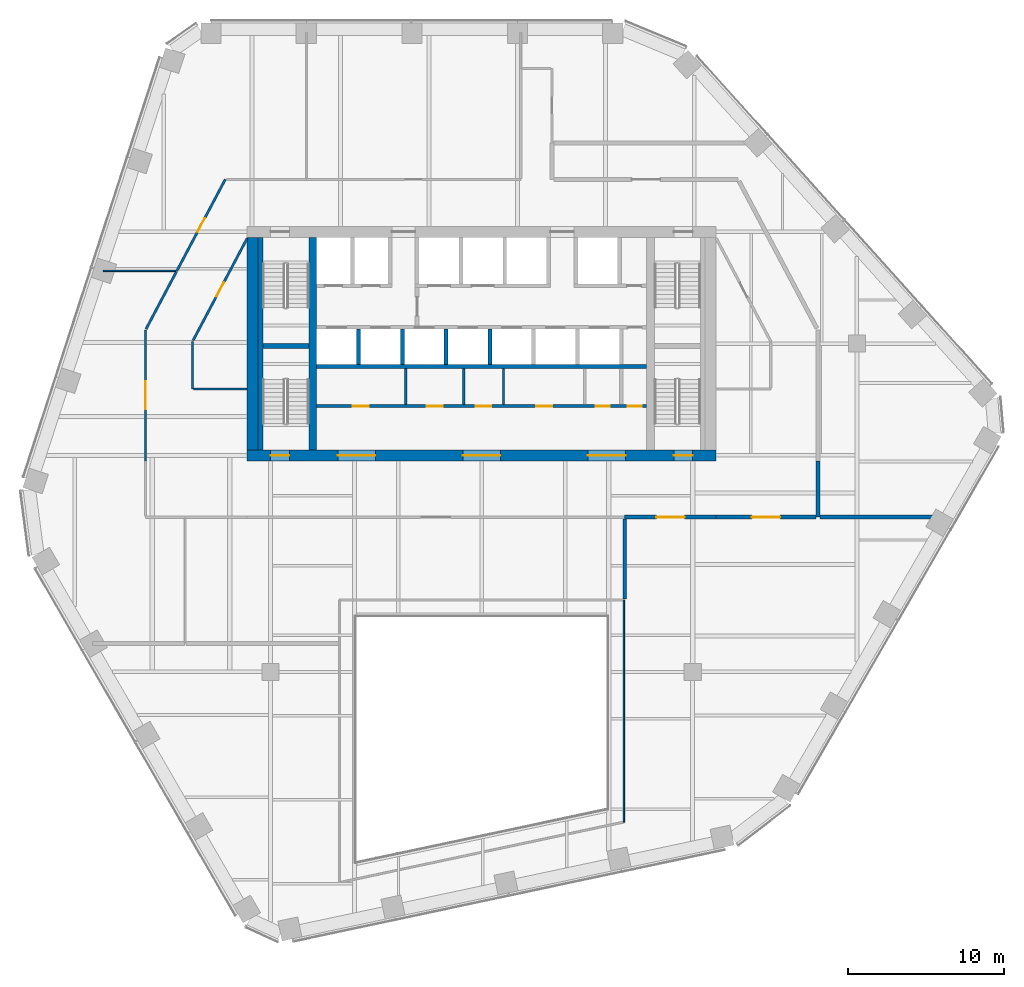
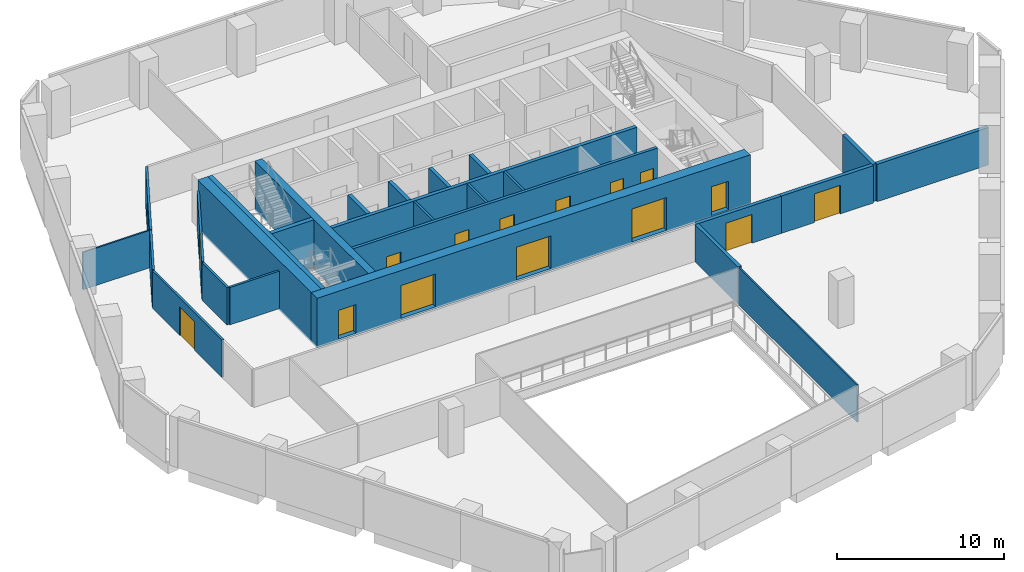
# One storey, part 11 of 16: 27 walls, 16 doors, 16 openings.
"""IFC4 building model written with IfcOpenShell, lengths in metres."""

from ifc_helpers import new_model, si_unit, direction, frame, frame_2d, origin, place, context, subcontext, project, spatial, rectangle, extrude, material, layer, layer_set, type_object, element, fill, save


model = new_model("IFC4")

# Units and contexts
model_context = context("Model", 3, precision=1e-05, world=origin(), true_north=direction((0.0, 1.0)))
body_context = subcontext(model_context, "Body", "Model", "MODEL_VIEW")
ifc_project = project(units=[si_unit("LENGTHUNIT", "METRE"), si_unit("AREAUNIT", "SQUARE_METRE"), si_unit("VOLUMEUNIT", "CUBIC_METRE"), si_unit("PLANEANGLEUNIT", "RADIAN"), si_unit("MASSUNIT", "GRAM", prefix="KILO")], contexts=[model_context])

# Site, building, storey
site_placement = place(None, origin())
site = spatial("IfcSite", under=ifc_project, at=site_placement, CompositionType="ELEMENT")
building_placement = place(site_placement, origin())
building = spatial("IfcBuilding", under=site, at=building_placement, Name="Isthmus Gate Tower", CompositionType="ELEMENT")
storey_placement = place(building_placement, frame((0.0, 0.0, 178.10009765625)))
storey = spatial("IfcBuildingStorey", under=building, at=storey_placement, Name="L44", CompositionType="ELEMENT", Elevation=178.10009765625)

# Wall, opening, door
ifc_material_1 = material(Name="Double-leaf acoustic stud wall, fire-rated", Category="gypsum")
ifc_layer_1 = layer(ifc_material_1, 0.25)
ifc_layer_set_1 = layer_set([ifc_layer_1], Name="ACOUSTIC WALL 250 60 MIN")
wall_type_1 = type_object("IfcWallType", Name="ACOUSTIC WALL 250 60 MIN", PredefinedType="PARTITIONING", material=ifc_layer_set_1)
wall_1_placement = place(storey_placement, frame((15.0, -3.60009765625, 0.0), z_axis=(0.0, 0.0, 1.0), x_axis=(-1.0, 0.0, 0.0)))
wall_1 = element("IfcWall", 1, at=wall_1_placement, inside=storey, type_object=wall_type_1, Name="L44 Acoustic Wall 250 60 Min", PredefinedType="PARTITIONING", context=body_context, shape_type="SweptSolid", body=[
    extrude(rectangle(XDim=5.85009765625, YDim=0.25, at=frame_2d((2.925048828125, 0.0))), origin(), (0.0, 0.0, 1.0), 2.7412109375),
])
opening_1_placement = place(wall_1_placement, frame((2.02490234375, 0.0, 0.0)))
opening_1 = element("IfcOpeningElement", 2, at=opening_1_placement, cuts=wall_1, Name="Opening DT-T4A-10", PredefinedType="OPENING", context=body_context, shape_type="SweptSolid", body=[
    extrude(rectangle(XDim=1.800048828125, YDim=2.10009765625, at=frame_2d((0.89990234375, 1.050048828125))), frame((0.0, 0.135009765625, 0.0), z_axis=(0.0, -1.0, 0.0), x_axis=(1.0, 0.0, 0.0)), (0.0, 0.0, 1.0), 0.27001953125),
])
ifc_material_2 = material(Name="Solid core timber door leaf, fire-rated", Category="wood")
door_type_1 = type_object("IfcDoorType", Name="FIRE DOOR ACOUSTIC ROOM 1800 X 2100 60 MIN", OperationType="DOUBLE_DOOR_DOUBLE_SWING", PredefinedType="DOOR", material=ifc_material_2)
door_1_placement = place(opening_1_placement, origin())
door_1 = element("IfcDoor", 3, at=door_1_placement, inside=storey, type_object=door_type_1, Name="L44 room door", OperationType="DOUBLE_DOOR_DOUBLE_SWING", OverallHeight=2.10009765625, OverallWidth=1.800048828125, PredefinedType="DOOR", context=body_context, shape_type="SweptSolid", body=[
    extrude(rectangle(XDim=1.800048828125, YDim=2.10009765625, at=frame_2d((0.89990234375, 1.050048828125))), frame((0.0, 0.02490234375, 0.0), z_axis=(0.0, -1.0, 0.0), x_axis=(1.0, 0.0, 0.0)), (0.0, 0.0, 1.0), 0.050048828125),
])
fill(opening_1, door_1)

# Wall
wall_2_placement = place(storey_placement, frame((21.5, 0.0, 0.0), z_axis=(0.0, 0.0, 1.0), x_axis=(0.0, -1.0, 0.0)))
element("IfcWall", 4, at=wall_2_placement, inside=storey, type_object=wall_type_1, Name="L44 Acoustic Wall 250 60 Min", PredefinedType="PARTITIONING", context=body_context, shape_type="SweptSolid", body=[
    extrude(rectangle(XDim=3.60009765625, YDim=0.25, at=frame_2d((1.800048828125, 0.0))), origin(), (0.0, 0.0, 1.0), 2.7412109375),
])

# Wall, opening, door
wall_3_placement = place(storey_placement, frame((21.375, -3.60009765625, 0.0), z_axis=(0.0, 0.0, 1.0), x_axis=(-1.0, 0.0, 0.0)))
wall_3 = element("IfcWall", 5, at=wall_3_placement, inside=storey, type_object=wall_type_1, Name="L44 Acoustic Wall 250 60 Min", PredefinedType="PARTITIONING", context=body_context, shape_type="SweptSolid", body=[
    extrude(rectangle(XDim=6.375, YDim=0.25, at=frame_2d((3.1875, 0.0))), origin(), (0.0, 0.0, 1.0), 2.7412109375),
])
opening_2_placement = place(wall_3_placement, frame((2.28759765625, 0.0, 0.0)))
opening_2 = element("IfcOpeningElement", 6, at=opening_2_placement, cuts=wall_3, Name="Opening DT-T4A-09", PredefinedType="OPENING", context=body_context, shape_type="SweptSolid", body=[
    extrude(rectangle(XDim=1.800048828125, YDim=2.10009765625, at=frame_2d((0.89990234375, 1.050048828125))), frame((0.0, 0.135009765625, 0.0), z_axis=(0.0, -1.0, 0.0), x_axis=(1.0, 0.0, 0.0)), (0.0, 0.0, 1.0), 0.27001953125),
])
door_2_placement = place(opening_2_placement, origin())
door_2 = element("IfcDoor", 7, at=door_2_placement, inside=storey, type_object=door_type_1, Name="L44 room door", OperationType="DOUBLE_DOOR_DOUBLE_SWING", OverallHeight=2.10009765625, OverallWidth=1.800048828125, PredefinedType="DOOR", context=body_context, shape_type="SweptSolid", body=[
    extrude(rectangle(XDim=1.800048828125, YDim=2.10009765625, at=frame_2d((0.89990234375, 1.050048828125))), frame((0.0, 0.02490234375, 0.0), z_axis=(0.0, -1.0, 0.0), x_axis=(1.0, 0.0, 0.0)), (0.0, 0.0, 1.0), 0.050048828125),
])
fill(opening_2, door_2)

# Walls
wall_4_placement = place(storey_placement, frame((21.6259765625, -3.597900390625, 0.0), z_axis=(0.0, 0.0, 1.0), x_axis=(1.0, 0.0, 0.0)))
element("IfcWall", 8, at=wall_4_placement, inside=storey, type_object=wall_type_1, Name="L44 Acoustic Wall 250 60 Min", PredefinedType="PARTITIONING", context=body_context, shape_type="SweptSolid", body=[
    extrude(rectangle(XDim=7.72509765625, YDim=0.25, at=frame_2d((3.862548828125, 0.0))), origin(), (0.0, 0.0, 1.0), 2.7412109375),
])
wall_5_placement = place(storey_placement, frame((9.14990234375, -8.85009765625, 0.0), z_axis=(0.0, 0.0, 1.0), x_axis=(0.0, 1.0, 0.0)))
element("IfcWall", 9, at=wall_5_placement, inside=storey, type_object=wall_type_1, Name="L44 Acoustic Wall 250 60 Min", PredefinedType="PARTITIONING", context=body_context, shape_type="SweptSolid", body=[
    extrude(rectangle(XDim=5.125, YDim=0.25, at=frame_2d((2.5625, 0.0))), origin(), (0.0, 0.0, 1.0), 2.7412109375),
])
ifc_material_3 = material(Name="Fire-rated laminated glass in steel frame", Category="steel")
ifc_layer_2 = layer(ifc_material_3, 0.10009765625)
ifc_layer_set_2 = layer_set([ifc_layer_2], Name="ATRIUM SCREEN GLAZED WALL 100 120 MIN")
wall_type_2 = type_object("IfcWallType", Name="ATRIUM SCREEN GLAZED WALL 100 120 MIN", PredefinedType="PARTITIONING", material=ifc_layer_set_2)
wall_6_placement = place(storey_placement, frame((9.10009765625, -8.89990234375, 0.0), z_axis=(0.0, 0.0, 1.0), x_axis=(0.0, -1.0, 0.0)))
element("IfcWall", 10, at=wall_6_placement, inside=storey, type_object=wall_type_2, Name="L44 atrium screen", PredefinedType="PARTITIONING", context=body_context, shape_type="SweptSolid", body=[
    extrude(rectangle(XDim=14.200927734375, YDim=0.10009765625, at=frame_2d((7.1005859375, 0.0))), origin(), (0.0, 0.0, 1.0), 2.7412109375),
])
ifc_material_4 = material(Name="Gypsum board on steel studs, fire-rated", Category="steel")
ifc_layer_3 = layer(ifc_material_4, 0.14990234375)
ifc_layer_set_3 = layer_set([ifc_layer_3], Name="CORRIDOR WALL 150 60 MIN")
wall_type_3 = type_object("IfcWallType", Name="CORRIDOR WALL 150 60 MIN", PredefinedType="PARTITIONING", material=ifc_layer_set_3)
wall_7_placement = place(storey_placement, frame((-18.5, 7.626953125, 0.0), z_axis=(0.0, 0.0, 1.0), x_axis=(0.0, -1.0, 0.0)))
element("IfcWall", 11, at=wall_7_placement, inside=storey, type_object=wall_type_3, Name="L44 Corridor Wall 150 60 Min", PredefinedType="PARTITIONING", context=body_context, shape_type="SweptSolid", body=[
    extrude(rectangle(XDim=3.02685546875, YDim=0.14990234375, at=frame_2d((1.513427734375, 0.0))), origin(), (0.0, 0.0, 1.0), 2.7412109375),
])

# Wall, opening, door
wall_8_placement = place(storey_placement, frame((-15.0, 14.239013671875, 0.0), z_axis=(0.0, 0.0, 1.0), x_axis=(-0.467834708812, -0.88381597928, 0.0)))
wall_8 = element("IfcWall", 12, at=wall_8_placement, inside=storey, type_object=wall_type_3, Name="L44 Corridor Wall 150 60 Min", PredefinedType="PARTITIONING", context=body_context, shape_type="SweptSolid", body=[
    extrude(rectangle(XDim=7.40625, YDim=0.14990234375, at=frame_2d((3.703125, 0.0))), origin(), (0.0, 0.0, 1.0), 2.7412109375),
])
opening_3_placement = place(wall_8_placement, frame((3.203125, 0.0, 0.0)))
opening_3 = element("IfcOpeningElement", 13, at=opening_3_placement, cuts=wall_8, Name="Opening DT-T4A-04", PredefinedType="OPENING", context=body_context, shape_type="SweptSolid", body=[
    extrude(rectangle(XDim=1.0, YDim=2.10009765625, at=frame_2d((0.5, 1.050048828125))), frame((0.0, 0.0849609375, 0.0), z_axis=(0.0, -1.0, 0.0), x_axis=(1.0, 0.0, 0.0)), (0.0, 0.0, 1.0), 0.169921875),
])
ifc_material_5 = material(Name="Solid core timber door leaf, fire-rated", Category="wood")
door_type_2 = type_object("IfcDoorType", Name="FIRE DOOR ROOM 1000 X 2100 60 MIN", OperationType="SINGLE_SWING_LEFT", PredefinedType="DOOR", material=ifc_material_5)
door_3_placement = place(opening_3_placement, origin())
door_3 = element("IfcDoor", 14, at=door_3_placement, inside=storey, type_object=door_type_2, Name="L44 room door", OperationType="SINGLE_SWING_RIGHT", OverallHeight=2.10009765625, OverallWidth=1.0, PredefinedType="DOOR", context=body_context, shape_type="SweptSolid", body=[
    extrude(rectangle(XDim=1.0, YDim=2.10009765625, at=frame_2d((0.5, 1.050048828125))), frame((0.0, 0.02490234375, 0.0), z_axis=(0.0, -1.0, 0.0), x_axis=(1.0, 0.0, 0.0)), (0.0, 0.0, 1.0), 0.050048828125),
])
fill(opening_3, door_3)

wall_9_placement = place(storey_placement, frame((-19.4970703125, 12.156005859375, 0.0), z_axis=(0.0, 0.0, 1.0), x_axis=(0.467901291368, 0.883780731593, 0.0)))
wall_9 = element("IfcWall", 15, at=wall_9_placement, inside=storey, type_object=wall_type_3, Name="L44 Corridor Wall 150 60 Min", PredefinedType="PARTITIONING", context=body_context, shape_type="SweptSolid", body=[
    extrude(rectangle(XDim=6.612548828125, YDim=0.14990234375, at=frame_2d((3.30615234375, 0.0))), origin(), (0.0, 0.0, 1.0), 2.7412109375),
])
opening_4_placement = place(wall_9_placement, frame((2.806396484375, 0.0, 0.0)))
opening_4 = element("IfcOpeningElement", 16, at=opening_4_placement, cuts=wall_9, Name="Opening DT-T4A-03", PredefinedType="OPENING", context=body_context, shape_type="SweptSolid", body=[
    extrude(rectangle(XDim=1.0, YDim=2.10009765625, at=frame_2d((0.5, 1.050048828125))), frame((0.0, 0.0849609375, 0.0), z_axis=(0.0, -1.0, 0.0), x_axis=(1.0, 0.0, 0.0)), (0.0, 0.0, 1.0), 0.169921875),
])
door_4_placement = place(opening_4_placement, origin())
door_4 = element("IfcDoor", 17, at=door_4_placement, inside=storey, type_object=door_type_2, Name="L44 room door", OperationType="SINGLE_SWING_RIGHT", OverallHeight=2.10009765625, OverallWidth=1.0, PredefinedType="DOOR", context=body_context, shape_type="SweptSolid", body=[
    extrude(rectangle(XDim=1.0, YDim=2.10009765625, at=frame_2d((0.5, 1.050048828125))), frame((0.0, 0.02490234375, 0.0), z_axis=(0.0, -1.0, 0.0), x_axis=(1.0, 0.0, 0.0)), (0.0, 0.0, 1.0), 0.050048828125),
])
fill(opening_4, door_4)

# Wall
wall_10_placement = place(storey_placement, frame((-18.425048828125, 4.60009765625, 0.0), z_axis=(0.0, 0.0, 1.0), x_axis=(1.0, 0.0, 0.0)))
element("IfcWall", 18, at=wall_10_placement, inside=storey, type_object=wall_type_3, Name="L44 Corridor Wall 150 60 Min", PredefinedType="PARTITIONING", context=body_context, shape_type="SweptSolid", body=[
    extrude(rectangle(XDim=3.425048828125, YDim=0.14990234375, at=frame_2d((1.71240234375, 0.0))), origin(), (0.0, 0.0, 1.0), 2.7412109375),
])

# Wall, opening, door
wall_11_placement = place(storey_placement, frame((-21.5, 0.0, 0.0), z_axis=(0.0, 0.0, 1.0), x_axis=(0.0, 1.0, 0.0)))
wall_11 = element("IfcWall", 19, at=wall_11_placement, inside=storey, type_object=wall_type_3, Name="L44 Corridor Wall 150 60 Min", PredefinedType="PARTITIONING", context=body_context, shape_type="SweptSolid", body=[
    extrude(rectangle(XDim=8.373046875, YDim=0.14990234375, at=frame_2d((4.1865234375, 0.0))), origin(), (0.0, 0.0, 1.0), 2.7412109375),
])
opening_5_placement = place(wall_11_placement, frame((3.28662109375, 0.0, 0.0)))
opening_5 = element("IfcOpeningElement", 20, at=opening_5_placement, cuts=wall_11, Name="Opening DT-T4A-07", PredefinedType="OPENING", context=body_context, shape_type="SweptSolid", body=[
    extrude(rectangle(XDim=1.800048828125, YDim=2.10009765625, at=frame_2d((0.89990234375, 1.050048828125))), frame((0.0, 0.0849609375, 0.0), z_axis=(0.0, -1.0, 0.0), x_axis=(1.0, 0.0, 0.0)), (0.0, 0.0, 1.0), 0.169921875),
])
ifc_material_6 = material(Name="Solid core timber door leaf, fire-rated", Category="wood")
door_type_3 = type_object("IfcDoorType", Name="FIRE DOOR ROOM 1800 X 2100 60 MIN", OperationType="DOUBLE_DOOR_DOUBLE_SWING", PredefinedType="DOOR", material=ifc_material_6)
door_5_placement = place(opening_5_placement, origin())
door_5 = element("IfcDoor", 21, at=door_5_placement, inside=storey, type_object=door_type_3, Name="L44 room door", OperationType="DOUBLE_DOOR_DOUBLE_SWING", OverallHeight=2.10009765625, OverallWidth=1.800048828125, PredefinedType="DOOR", context=body_context, shape_type="SweptSolid", body=[
    extrude(rectangle(XDim=1.800048828125, YDim=2.10009765625, at=frame_2d((0.89990234375, 1.050048828125))), frame((0.0, 0.02490234375, 0.0), z_axis=(0.0, -1.0, 0.0), x_axis=(1.0, 0.0, 0.0)), (0.0, 0.0, 1.0), 0.050048828125),
])
fill(opening_5, door_5)

# Walls
wall_12_placement = place(storey_placement, frame((-21.46484375, 8.439208984375, 0.0), z_axis=(0.0, 0.0, 1.0), x_axis=(0.467890419772, 0.883786487272, 0.0)))
element("IfcWall", 22, at=wall_12_placement, inside=storey, type_object=wall_type_3, Name="L44 Corridor Wall 150 60 Min", PredefinedType="PARTITIONING", context=body_context, shape_type="SweptSolid", body=[
    extrude(rectangle(XDim=4.155517578125, YDim=0.14990234375, at=frame_2d((2.07763671875, 0.0))), origin(), (0.0, 0.0, 1.0), 2.7412109375),
])
ifc_material_7 = material(Name="Concrete f'c 60 MPa", Category="concrete")
ifc_layer_4 = layer(ifc_material_7, 0.5)
ifc_layer_set_4 = layer_set([ifc_layer_4], Name="RC CORE SPINE WALL 500 F'C 60")
wall_type_4 = type_object("IfcWallType", Name="RC CORE SPINE WALL 500 F'C 60", PredefinedType="SOLIDWALL", material=ifc_layer_set_4)
wall_13_placement = place(storey_placement, frame((-10.800048828125, 0.699951171875, -0.150146484375), z_axis=(0.0, 0.0, 1.0), x_axis=(0.0, 1.0, 0.0)))
element("IfcWall", 23, at=wall_13_placement, inside=storey, type_object=wall_type_4, Name="str-corewall-L44-SPW", PredefinedType="SOLIDWALL", context=body_context, shape_type="SweptSolid", body=[
    extrude(rectangle(XDim=13.60009765625, YDim=0.5, at=frame_2d((6.800048828125, 0.0))), origin(), (0.0, 0.0, 1.0), 3.650146484375),
])

# Wall, openings, doors
ifc_material_8 = material(Name="Concrete f'c 60 MPa", Category="concrete")
ifc_layer_5 = layer(ifc_material_8, 0.699951171875)
ifc_layer_set_5 = layer_set([ifc_layer_5], Name="RC CORE WALL 700 F'C 60")
wall_type_5 = type_object("IfcWallType", Name="RC CORE WALL 700 F'C 60", PredefinedType="SOLIDWALL", material=ifc_layer_set_5)
wall_14_placement = place(storey_placement, frame((-15.0, 0.35009765625, -0.150146484375), z_axis=(0.0, 0.0, 1.0), x_axis=(1.0, 0.0, 0.0)))
wall_14 = element("IfcWall", 24, at=wall_14_placement, inside=storey, type_object=wall_type_5, Name="str-corewall-L44-S", PredefinedType="SOLIDWALL", context=body_context, shape_type="SweptSolid", body=[
    extrude(rectangle(XDim=30.0, YDim=0.699951171875, at=frame_2d((15.0, 0.0))), origin(), (0.0, 0.0, 1.0), 3.650146484375),
])
opening_6_placement = place(wall_14_placement, frame((5.800048828125, 0.0, 0.14990234375)))
opening_6 = element("IfcOpeningElement", 25, at=opening_6_placement, cuts=wall_14, Name="Opening DC-A11-10", PredefinedType="OPENING", context=body_context, shape_type="SweptSolid", body=[
    extrude(rectangle(XDim=2.39990234375, YDim=2.39990234375, at=frame_2d((1.199951171875, 1.199951171875))), frame((0.0, 0.35986328125, 0.0), z_axis=(0.0, -1.0, 0.0), x_axis=(1.0, 0.0, 0.0)), (0.0, 0.0, 1.0), 0.719970703125),
])
opening_7_placement = place(wall_14_placement, frame((13.800048828125, 0.0, 0.14990234375)))
opening_7 = element("IfcOpeningElement", 26, at=opening_7_placement, cuts=wall_14, Name="Opening DC-A11-11", PredefinedType="OPENING", context=body_context, shape_type="SweptSolid", body=[
    extrude(rectangle(XDim=2.39990234375, YDim=2.39990234375, at=frame_2d((1.199951171875, 1.199951171875))), frame((0.0, 0.35986328125, 0.0), z_axis=(0.0, -1.0, 0.0), x_axis=(1.0, 0.0, 0.0)), (0.0, 0.0, 1.0), 0.719970703125),
])
opening_8_placement = place(wall_14_placement, frame((21.800048828125, 0.0, 0.14990234375)))
opening_8 = element("IfcOpeningElement", 27, at=opening_8_placement, cuts=wall_14, Name="Opening DC-A11-12", PredefinedType="OPENING", context=body_context, shape_type="SweptSolid", body=[
    extrude(rectangle(XDim=2.39990234375, YDim=2.39990234375, at=frame_2d((1.199951171875, 1.199951171875))), frame((0.0, 0.35986328125, 0.0), z_axis=(0.0, -1.0, 0.0), x_axis=(1.0, 0.0, 0.0)), (0.0, 0.0, 1.0), 0.719970703125),
])
opening_9_placement = place(wall_14_placement, frame((1.5, 0.0, 0.14990234375)))
opening_9 = element("IfcOpeningElement", 28, at=opening_9_placement, cuts=wall_14, Name="Opening DC-A11-17", PredefinedType="OPENING", context=body_context, shape_type="SweptSolid", body=[
    extrude(rectangle(XDim=1.199951171875, YDim=2.10009765625, at=frame_2d((0.60009765625, 1.050048828125))), frame((0.0, 0.35986328125, 0.0), z_axis=(0.0, -1.0, 0.0), x_axis=(1.0, 0.0, 0.0)), (0.0, 0.0, 1.0), 0.719970703125),
])
opening_10_placement = place(wall_14_placement, frame((27.300048828125, 0.0, 0.14990234375)))
opening_10 = element("IfcOpeningElement", 29, at=opening_10_placement, cuts=wall_14, Name="Opening DC-A11-18", PredefinedType="OPENING", context=body_context, shape_type="SweptSolid", body=[
    extrude(rectangle(XDim=1.199951171875, YDim=2.10009765625, at=frame_2d((0.60009765625, 1.050048828125))), frame((0.0, 0.35986328125, 0.0), z_axis=(0.0, -1.0, 0.0), x_axis=(1.0, 0.0, 0.0)), (0.0, 0.0, 1.0), 0.719970703125),
])
ifc_material_9 = material(Name="Laminated safety glass in steel frame, fire-rated", Category="steel")
door_type_4 = type_object("IfcDoorType", Name="LOBBY ENTRANCE FIRE DOOR 2400 X 2400 60 MIN", OperationType="DOUBLE_DOOR_DOUBLE_SWING", PredefinedType="DOOR", material=ifc_material_9)
door_6_placement = place(opening_6_placement, origin())
door_6 = element("IfcDoor", 30, at=door_6_placement, inside=storey, type_object=door_type_4, Name="Lobby Entrance PS-W", OperationType="DOUBLE_DOOR_DOUBLE_SWING", OverallHeight=2.39990234375, OverallWidth=2.39990234375, PredefinedType="DOOR", context=body_context, shape_type="SweptSolid", body=[
    extrude(rectangle(XDim=2.39990234375, YDim=2.39990234375, at=frame_2d((1.199951171875, 1.199951171875))), frame((0.0, 0.02490234375, 0.0), z_axis=(0.0, -1.0, 0.0), x_axis=(1.0, 0.0, 0.0)), (0.0, 0.0, 1.0), 0.050048828125),
])
fill(opening_6, door_6)
door_7_placement = place(opening_7_placement, origin())
door_7 = element("IfcDoor", 31, at=door_7_placement, inside=storey, type_object=door_type_4, Name="Lobby Entrance PS-C", OperationType="DOUBLE_DOOR_DOUBLE_SWING", OverallHeight=2.39990234375, OverallWidth=2.39990234375, PredefinedType="DOOR", context=body_context, shape_type="SweptSolid", body=[
    extrude(rectangle(XDim=2.39990234375, YDim=2.39990234375, at=frame_2d((1.199951171875, 1.199951171875))), frame((0.0, 0.02490234375, 0.0), z_axis=(0.0, -1.0, 0.0), x_axis=(1.0, 0.0, 0.0)), (0.0, 0.0, 1.0), 0.050048828125),
])
fill(opening_7, door_7)
door_8_placement = place(opening_8_placement, origin())
door_8 = element("IfcDoor", 32, at=door_8_placement, inside=storey, type_object=door_type_4, Name="Lobby Entrance PS-E", OperationType="DOUBLE_DOOR_DOUBLE_SWING", OverallHeight=2.39990234375, OverallWidth=2.39990234375, PredefinedType="DOOR", context=body_context, shape_type="SweptSolid", body=[
    extrude(rectangle(XDim=2.39990234375, YDim=2.39990234375, at=frame_2d((1.199951171875, 1.199951171875))), frame((0.0, 0.02490234375, 0.0), z_axis=(0.0, -1.0, 0.0), x_axis=(1.0, 0.0, 0.0)), (0.0, 0.0, 1.0), 0.050048828125),
])
fill(opening_8, door_8)
ifc_material_10 = material(Name="Steel door leaf, fire-rated", Category="steel")
door_type_5 = type_object("IfcDoorType", Name="STAIR FIRE DOOR 1200 X 2100 90 MIN", OperationType="SINGLE_SWING_LEFT", PredefinedType="DOOR", material=ifc_material_10)
door_9_placement = place(opening_9_placement, origin())
door_9 = element("IfcDoor", 33, at=door_9_placement, inside=storey, type_object=door_type_5, Name="Exit Stair 7 Door", OperationType="SINGLE_SWING_LEFT", OverallHeight=2.10009765625, OverallWidth=1.199951171875, PredefinedType="DOOR", context=body_context, shape_type="SweptSolid", body=[
    extrude(rectangle(XDim=1.199951171875, YDim=2.10009765625, at=frame_2d((0.60009765625, 1.050048828125))), frame((0.0, 0.02490234375, 0.0), z_axis=(0.0, -1.0, 0.0), x_axis=(1.0, 0.0, 0.0)), (0.0, 0.0, 1.0), 0.050048828125),
])
fill(opening_9, door_9)
door_10_placement = place(opening_10_placement, origin())
door_10 = element("IfcDoor", 34, at=door_10_placement, inside=storey, type_object=door_type_5, Name="Exit Stair 8 Door", OperationType="SINGLE_SWING_RIGHT", OverallHeight=2.10009765625, OverallWidth=1.199951171875, PredefinedType="DOOR", context=body_context, shape_type="SweptSolid", body=[
    extrude(rectangle(XDim=1.199951171875, YDim=2.10009765625, at=frame_2d((0.60009765625, 1.050048828125))), frame((0.0, 0.02490234375, 0.0), z_axis=(0.0, -1.0, 0.0), x_axis=(1.0, 0.0, 0.0)), (0.0, 0.0, 1.0), 0.050048828125),
])
fill(opening_10, door_10)

# Walls
wall_15_placement = place(storey_placement, frame((-14.64990234375, 0.699951171875, -0.150146484375), z_axis=(0.0, 0.0, 1.0), x_axis=(0.0, 1.0, 0.0)))
element("IfcWall", 35, at=wall_15_placement, inside=storey, type_object=wall_type_5, Name="str-corewall-L44-W", PredefinedType="SOLIDWALL", context=body_context, shape_type="SweptSolid", body=[
    extrude(rectangle(XDim=13.60009765625, YDim=0.699951171875, at=frame_2d((6.800048828125, 0.0))), origin(), (0.0, 0.0, 1.0), 3.650146484375),
])
ifc_material_11 = material(Name="Gypsum board on steel studs, fire-rated", Category="steel")
ifc_layer_6 = layer(ifc_material_11, 0.10009765625)
ifc_layer_set_6 = layer_set([ifc_layer_6], Name="ROOM PARTITION 100 30 MIN")
wall_type_6 = type_object("IfcWallType", Name="ROOM PARTITION 100 30 MIN", PredefinedType="PARTITIONING", material=ifc_layer_set_6)
wall_16_placement = place(storey_placement, frame((-24.217041015625, 12.156005859375, 0.0), z_axis=(0.0, 0.0, 1.0), x_axis=(1.0, 0.0, 0.0)))
element("IfcWall", 36, at=wall_16_placement, inside=storey, type_object=wall_type_6, Name="L44 Room Partition 100 30 Min", PredefinedType="PARTITIONING", context=body_context, shape_type="SweptSolid", body=[
    extrude(rectangle(XDim=4.636962890625, YDim=0.10009765625, at=frame_2d((2.318359375, 0.0))), origin(), (0.0, 0.0, 1.0), 2.7412109375),
])
ifc_material_12 = material(Name="Gypsum board on steel studs, fire-rated", Category="steel")
ifc_layer_7 = layer(ifc_material_12, 0.14990234375)
ifc_layer_set_7 = layer_set([ifc_layer_7], Name="ROOM PARTITION 150 60 MIN")
wall_type_7 = type_object("IfcWallType", Name="ROOM PARTITION 150 60 MIN", PredefinedType="PARTITIONING", material=ifc_layer_set_7)
for number, where, z_axis, x_axis, name in (
    (37, (-4.85009765625, 3.60009765625, 0.0), (0.0, 0.0, 1.0), (0.0, 1.0, 0.0), "L44 ROOM PARTITION 150 60 MIN"),
    (38, (-1.14990234375, 3.60009765625, 0.0), (0.0, 0.0, 1.0), (0.0, 1.0, 0.0), "L44 ROOM PARTITION 150 60 MIN"),
    (39, (1.39990234375, 3.60009765625, 0.0), (0.0, 0.0, 1.0), (0.0, 1.0, 0.0), "L44 ROOM PARTITION 150 60 MIN"),
):
    element("IfcWall", number, at=place(storey_placement, frame(where, z_axis=z_axis, x_axis=x_axis)), inside=storey, type_object=wall_type_7, Name=name, PredefinedType="PARTITIONING", context=body_context, shape_type="SweptSolid", body=[
        extrude(rectangle(XDim=2.2998046875, YDim=0.14990234375, at=frame_2d((1.14990234375, 0.0))), origin(), (0.0, 0.0, 1.0), 3.5),
    ])

# Wall, openings, doors
ifc_material_13 = material(Name="Fire-rated blockwork masonry, 15 MPa", Category="masonry")
ifc_layer_8 = layer(ifc_material_13, 0.199951171875)
ifc_layer_set_8 = layer_set([ifc_layer_8], Name="SHAFT FRONT WALL 200 120 MIN")
wall_type_8 = type_object("IfcWallType", Name="SHAFT FRONT WALL 200 120 MIN", PredefinedType="PARTITIONING", material=ifc_layer_set_8)
wall_17_placement = place(storey_placement, frame((-10.550048828125, 3.5, 0.0), z_axis=(0.0, 0.0, 1.0), x_axis=(1.0, 0.0, 0.0)))
wall_17 = element("IfcWall", 40, at=wall_17_placement, inside=storey, type_object=wall_type_8, Name="L44 SHAFT FRONT WALL 200 120 MIN", PredefinedType="PARTITIONING", context=body_context, shape_type="SweptSolid", body=[
    extrude(rectangle(XDim=21.10009765625, YDim=0.199951171875, at=frame_2d((10.550048828125, 0.0))), origin(), (0.0, 0.0, 1.0), 3.5),
])
opening_11_placement = place(wall_17_placement, frame((2.3125, 0.0, 0.0)))
opening_11 = element("IfcOpeningElement", 41, at=opening_11_placement, cuts=wall_17, Name="Opening DC-A11-02", PredefinedType="OPENING", context=body_context, shape_type="SweptSolid", body=[
    extrude(rectangle(XDim=1.0, YDim=2.10009765625, at=frame_2d((0.5, 1.050048828125))), frame((0.0, 0.10986328125, 0.0), z_axis=(0.0, -1.0, 0.0), x_axis=(1.0, 0.0, 0.0)), (0.0, 0.0, 1.0), 0.219970703125),
])
opening_12_placement = place(wall_17_placement, frame((7.050048828125, 0.0, 0.0)))
opening_12 = element("IfcOpeningElement", 42, at=opening_12_placement, cuts=wall_17, Name="Opening DC-A11-03", PredefinedType="OPENING", context=body_context, shape_type="SweptSolid", body=[
    extrude(rectangle(XDim=1.0, YDim=2.10009765625, at=frame_2d((0.5, 1.050048828125))), frame((0.0, 0.10986328125, 0.0), z_axis=(0.0, -1.0, 0.0), x_axis=(1.0, 0.0, 0.0)), (0.0, 0.0, 1.0), 0.219970703125),
])
opening_13_placement = place(wall_17_placement, frame((10.175048828125, 0.0, 0.0)))
opening_13 = element("IfcOpeningElement", 43, at=opening_13_placement, cuts=wall_17, Name="Opening DC-A11-04", PredefinedType="OPENING", context=body_context, shape_type="SweptSolid", body=[
    extrude(rectangle(XDim=1.0, YDim=2.10009765625, at=frame_2d((0.5, 1.050048828125))), frame((0.0, 0.10986328125, 0.0), z_axis=(0.0, -1.0, 0.0), x_axis=(1.0, 0.0, 0.0)), (0.0, 0.0, 1.0), 0.219970703125),
])
opening_14_placement = place(wall_17_placement, frame((14.050048828125, 0.0, 0.0)))
opening_14 = element("IfcOpeningElement", 44, at=opening_14_placement, cuts=wall_17, Name="Opening DC-A11-05", PredefinedType="OPENING", context=body_context, shape_type="SweptSolid", body=[
    extrude(rectangle(XDim=1.0, YDim=2.10009765625, at=frame_2d((0.5, 1.050048828125))), frame((0.0, 0.10986328125, 0.0), z_axis=(0.0, -1.0, 0.0), x_axis=(1.0, 0.0, 0.0)), (0.0, 0.0, 1.0), 0.219970703125),
])
opening_15_placement = place(wall_17_placement, frame((17.83740234375, 0.0, 0.0)))
opening_15 = element("IfcOpeningElement", 45, at=opening_15_placement, cuts=wall_17, Name="Opening DC-A11-06", PredefinedType="OPENING", context=body_context, shape_type="SweptSolid", body=[
    extrude(rectangle(XDim=0.89990234375, YDim=2.10009765625, at=frame_2d((0.449951171875, 1.050048828125))), frame((0.0, 0.10986328125, 0.0), z_axis=(0.0, -1.0, 0.0), x_axis=(1.0, 0.0, 0.0)), (0.0, 0.0, 1.0), 0.219970703125),
])
opening_16_placement = place(wall_17_placement, frame((19.89990234375, 0.0, 0.0)))
opening_16 = element("IfcOpeningElement", 46, at=opening_16_placement, cuts=wall_17, Name="Opening DC-A11-07", PredefinedType="OPENING", context=body_context, shape_type="SweptSolid", body=[
    extrude(rectangle(XDim=0.89990234375, YDim=2.10009765625, at=frame_2d((0.449951171875, 1.050048828125))), frame((0.0, 0.10986328125, 0.0), z_axis=(0.0, -1.0, 0.0), x_axis=(1.0, 0.0, 0.0)), (0.0, 0.0, 1.0), 0.219970703125),
])
ifc_material_14 = material(Name="Steel door leaf, fire-rated", Category="steel")
door_type_6 = type_object("IfcDoorType", Name="FIRE DOOR 1000 X 2100 60 MIN", OperationType="SINGLE_SWING_LEFT", PredefinedType="DOOR", material=ifc_material_14)
door_11_placement = place(opening_11_placement, origin())
door_11 = element("IfcDoor", 47, at=door_11_placement, inside=storey, type_object=door_type_6, Name="WC Women Door", OperationType="SINGLE_SWING_LEFT", OverallHeight=2.10009765625, OverallWidth=1.0, PredefinedType="DOOR", context=body_context, shape_type="SweptSolid", body=[
    extrude(rectangle(XDim=1.0, YDim=2.10009765625, at=frame_2d((0.5, 1.050048828125))), frame((0.0, 0.02490234375, 0.0), z_axis=(0.0, -1.0, 0.0), x_axis=(1.0, 0.0, 0.0)), (0.0, 0.0, 1.0), 0.050048828125),
])
fill(opening_11, door_11)
door_12_placement = place(opening_12_placement, origin())
door_12 = element("IfcDoor", 48, at=door_12_placement, inside=storey, type_object=door_type_6, Name="WC Men Door", OperationType="SINGLE_SWING_RIGHT", OverallHeight=2.10009765625, OverallWidth=1.0, PredefinedType="DOOR", context=body_context, shape_type="SweptSolid", body=[
    extrude(rectangle(XDim=1.0, YDim=2.10009765625, at=frame_2d((0.5, 1.050048828125))), frame((0.0, 0.02490234375, 0.0), z_axis=(0.0, -1.0, 0.0), x_axis=(1.0, 0.0, 0.0)), (0.0, 0.0, 1.0), 0.050048828125),
])
fill(opening_12, door_12)
door_13_placement = place(opening_13_placement, origin())
door_13 = element("IfcDoor", 49, at=door_13_placement, inside=storey, type_object=door_type_6, Name="Accessible WC Door", OperationType="SINGLE_SWING_LEFT", OverallHeight=2.10009765625, OverallWidth=1.0, PredefinedType="DOOR", context=body_context, shape_type="SweptSolid", body=[
    extrude(rectangle(XDim=1.0, YDim=2.10009765625, at=frame_2d((0.5, 1.050048828125))), frame((0.0, 0.02490234375, 0.0), z_axis=(0.0, -1.0, 0.0), x_axis=(1.0, 0.0, 0.0)), (0.0, 0.0, 1.0), 0.050048828125),
])
fill(opening_13, door_13)
door_14_placement = place(opening_14_placement, origin())
door_14 = element("IfcDoor", 50, at=door_14_placement, inside=storey, type_object=door_type_6, Name="Pantry Door", OperationType="SINGLE_SWING_RIGHT", OverallHeight=2.10009765625, OverallWidth=1.0, PredefinedType="DOOR", context=body_context, shape_type="SweptSolid", body=[
    extrude(rectangle(XDim=1.0, YDim=2.10009765625, at=frame_2d((0.5, 1.050048828125))), frame((0.0, 0.02490234375, 0.0), z_axis=(0.0, -1.0, 0.0), x_axis=(1.0, 0.0, 0.0)), (0.0, 0.0, 1.0), 0.050048828125),
])
fill(opening_14, door_14)
ifc_material_15 = material(Name="Steel door leaf, fire-rated", Category="steel")
door_type_7 = type_object("IfcDoorType", Name="FIRE DOOR 900 X 2100 60 MIN", OperationType="SINGLE_SWING_LEFT", PredefinedType="DOOR", material=ifc_material_15)
door_15_placement = place(opening_15_placement, origin())
door_15 = element("IfcDoor", 51, at=door_15_placement, inside=storey, type_object=door_type_7, Name="IT Room Door", OperationType="SINGLE_SWING_LEFT", OverallHeight=2.10009765625, OverallWidth=0.89990234375, PredefinedType="DOOR", context=body_context, shape_type="SweptSolid", body=[
    extrude(rectangle(XDim=0.89990234375, YDim=2.10009765625, at=frame_2d((0.449951171875, 1.050048828125))), frame((0.0, 0.02490234375, 0.0), z_axis=(0.0, -1.0, 0.0), x_axis=(1.0, 0.0, 0.0)), (0.0, 0.0, 1.0), 0.050048828125),
])
fill(opening_15, door_15)
ifc_material_16 = material(Name="Steel door leaf, fire-rated", Category="steel")
door_type_8 = type_object("IfcDoorType", Name="RISER FIRE DOOR 900 X 2100 90 MIN", OperationType="SINGLE_SWING_LEFT", PredefinedType="DOOR", material=ifc_material_16)
door_16_placement = place(opening_16_placement, origin())
door_16 = element("IfcDoor", 52, at=door_16_placement, inside=storey, type_object=door_type_8, Name="Riser Door", OperationType="SINGLE_SWING_RIGHT", OverallHeight=2.10009765625, OverallWidth=0.89990234375, PredefinedType="DOOR", context=body_context, shape_type="SweptSolid", body=[
    extrude(rectangle(XDim=0.89990234375, YDim=2.10009765625, at=frame_2d((0.449951171875, 1.050048828125))), frame((0.0, 0.02490234375, 0.0), z_axis=(0.0, -1.0, 0.0), x_axis=(1.0, 0.0, 0.0)), (0.0, 0.0, 1.0), 0.050048828125),
])
fill(opening_16, door_16)

# Walls
ifc_material_17 = material(Name="Fire-rated blockwork masonry, 15 MPa", Category="masonry")
ifc_layer_9 = layer(ifc_material_17, 0.25)
ifc_layer_set_9 = layer_set([ifc_layer_9], Name="SHAFT WALL 250 120 MIN")
wall_type_9 = type_object("IfcWallType", Name="SHAFT WALL 250 120 MIN", PredefinedType="PARTITIONING", material=ifc_layer_set_9)
wall_18_placement = place(storey_placement, frame((-10.550048828125, 6.02490234375, 0.0), z_axis=(0.0, 0.0, 1.0), x_axis=(1.0, 0.0, 0.0)))
element("IfcWall", 53, at=wall_18_placement, inside=storey, type_object=wall_type_9, Name="L44 SHAFT WALL 250 120 MIN", PredefinedType="PARTITIONING", context=body_context, shape_type="SweptSolid", body=[
    extrude(rectangle(XDim=21.10009765625, YDim=0.25, at=frame_2d((10.550048828125, 0.0))), origin(), (0.0, 0.0, 1.0), 3.5),
])
for number, where, z_axis, x_axis, name in (
    (54, (-7.875, 6.14990234375, 0.0), (0.0, 0.0, 1.0), (0.0, 1.0, 0.0), "L44 SHAFT WALL 250 120 MIN"),
    (55, (-5.074951171875, 6.14990234375, 0.0), (0.0, 0.0, 1.0), (0.0, 1.0, 0.0), "L44 SHAFT WALL 250 120 MIN"),
    (56, (-2.27490234375, 6.14990234375, 0.0), (0.0, 0.0, 1.0), (0.0, 1.0, 0.0), "L44 SHAFT WALL 250 120 MIN"),
    (57, (0.52490234375, 6.14990234375, 0.0), (0.0, 0.0, 1.0), (0.0, 1.0, 0.0), "L44 SHAFT WALL 250 120 MIN"),
):
    element("IfcWall", number, at=place(storey_placement, frame(where, z_axis=z_axis, x_axis=x_axis)), inside=storey, type_object=wall_type_9, Name=name, PredefinedType="PARTITIONING", context=body_context, shape_type="SweptSolid", body=[
        extrude(rectangle(XDim=2.300048828125, YDim=0.25, at=frame_2d((1.14990234375, 0.0))), origin(), (0.0, 0.0, 1.0), 3.5),
    ])
ifc_material_18 = material(Name="Concrete f'c 40 MPa", Category="concrete")
ifc_layer_10 = layer(ifc_material_18, 0.300048828125)
ifc_layer_set_10 = layer_set([ifc_layer_10], Name="STAIR ENCLOSURE WALL 300 180 MIN")
wall_type_10 = type_object("IfcWallType", Name="STAIR ENCLOSURE WALL 300 180 MIN", PredefinedType="SOLIDWALL", material=ifc_layer_set_10)
wall_19_placement = place(storey_placement, frame((-14.0, 7.35009765625, 0.0), z_axis=(0.0, 0.0, 1.0), x_axis=(1.0, 0.0, 0.0)))
element("IfcWall", 58, at=wall_19_placement, inside=storey, type_object=wall_type_10, Name="L44 STAIR ENCLOSURE WALL 300 180 MIN", PredefinedType="SOLIDWALL", context=body_context, shape_type="SweptSolid", body=[
    extrude(rectangle(XDim=2.949951171875, YDim=0.300048828125, at=frame_2d((1.47509765625, 0.0))), origin(), (0.0, 0.0, 1.0), 3.5),
])
wall_20_placement = place(storey_placement, frame((-14.14990234375, 0.699951171875, 0.0), z_axis=(0.0, 0.0, 1.0), x_axis=(0.0, 1.0, 0.0)))
element("IfcWall", 59, at=wall_20_placement, inside=storey, type_object=wall_type_10, Name="L44 STAIR ENCLOSURE WALL 300 180 MIN", PredefinedType="SOLIDWALL", context=body_context, shape_type="SweptSolid", body=[
    extrude(rectangle(XDim=13.60009765625, YDim=0.300048828125, at=frame_2d((6.800048828125, 0.0))), origin(), (0.0, 0.0, 1.0), 3.5),
])

save(model, "model.ifc")
